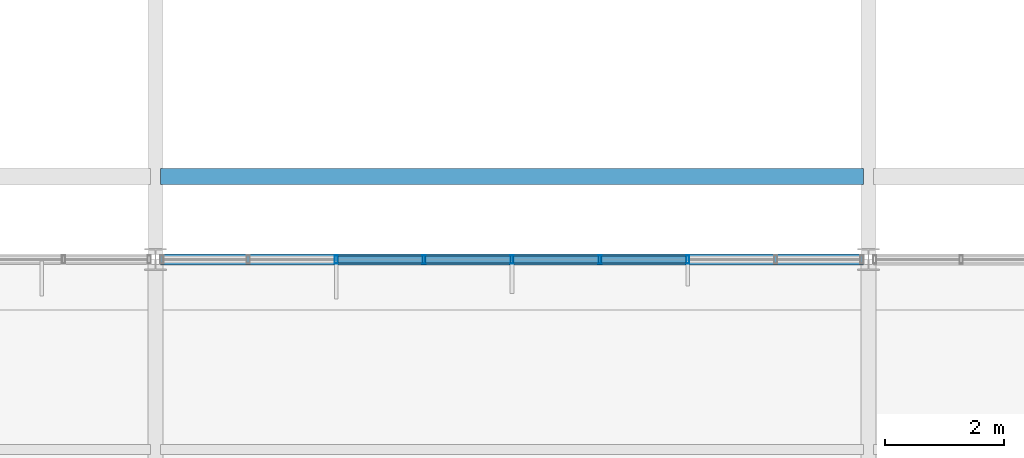
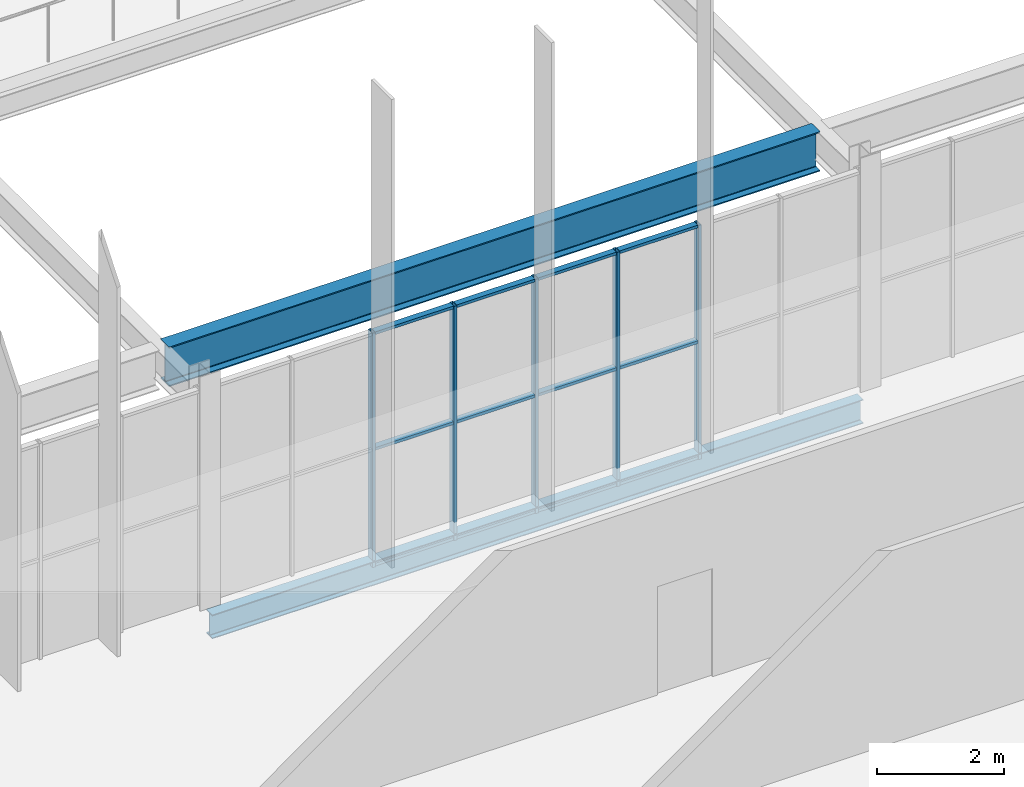
# One storey, part 184 of 324: 17 members, 2 beams, 1 element without a shape of its own.
"""IFC4 building model written with IfcOpenShell, lengths in metres."""

from ifc_helpers import new_model, si_unit, direction, frame, origin, origin_2d, place, context, subcontext, project, spatial, hollow_rectangle, i_section, extrude, material, layer, layer_set, material_profile, profile_set, type_object, element, aggregate, save


model = new_model("IFC4")

# Units and contexts
model_context = context("Model", 3, precision=1e-05, world=origin(), true_north=direction((0.0, 1.0)))
body_context = subcontext(model_context, "Body", "Model", "MODEL_VIEW")
ifc_project = project(units=[si_unit("LENGTHUNIT", "METRE"), si_unit("AREAUNIT", "SQUARE_METRE"), si_unit("VOLUMEUNIT", "CUBIC_METRE"), si_unit("PLANEANGLEUNIT", "RADIAN"), si_unit("MASSUNIT", "GRAM", prefix="KILO")], contexts=[model_context])

# Site, building, storey
site_placement = place(None, origin())
site = spatial("IfcSite", under=ifc_project, at=site_placement, CompositionType="ELEMENT")
building_placement = place(site_placement, origin())
building = spatial("IfcBuilding", under=site, at=building_placement, Name="Solvenia Promenade Tram Depot", CompositionType="ELEMENT")
storey_placement = place(building_placement, frame((0.0, 0.0, 4.5)))
storey = spatial("IfcBuildingStorey", under=building, at=storey_placement, Name="L01", CompositionType="ELEMENT", Elevation=4.5)

# Curtain wall, members
ifc_material_1 = material(Name="Anodized aluminium AW-6063 T6", Category="aluminium")
ifc_layer = layer(ifc_material_1, 0.080078125, Name="Anodized aluminium AW-6063 T6", Category="aluminium")
ifc_layer_set = layer_set([ifc_layer], Name="Anodized aluminium AW-6063 T6")
curtain_wall_type = type_object("IfcCurtainWallType", Name="CW-Clerest-1500", PredefinedType="NOTDEFINED", material=ifc_layer_set)
curtain_wall_placement = place(storey_placement, origin())
curtain_wall = element("IfcCurtainWall", 1, at=curtain_wall_placement, inside=storey, type_object=curtain_wall_type, Name="Curtain Wall CW-V2S-L1-07", PredefinedType="NOTDEFINED")
ifc_material_profile_1 = material_profile(ifc_material_1, hollow_rectangle(XDim=0.139892578125, YDim=0.054931640625, WallThickness=0.00390625, at=origin_2d()), Name="ALU-M4", Category="aluminium")
ifc_profile_set_1 = profile_set([ifc_material_profile_1], Name="Anodized aluminium AW-6063 T6")
member_type_1 = type_object("IfcMemberType", Name="CWM-Mullion-4", PredefinedType="MULLION", material=ifc_profile_set_1)
member_1_placement = place(storey_placement, frame((153.0400390625, 24.0, -0.35009765625), z_axis=(0.0, 0.0, 1.0), x_axis=(0.0, 1.0, 0.0)))
member_1 = element("IfcMember", 2, at=member_1_placement, type_object=member_type_1, Name="CW-4 mullion 3", PredefinedType="MULLION", context=body_context, shape_type="SweptSolid", body=[
    extrude(hollow_rectangle(XDim=0.139892578125, YDim=0.054931640625, WallThickness=0.00390625, at=origin_2d()), origin(), (0.0, 0.0, 1.0), 4.5),
])
member_2_placement = place(storey_placement, frame((154.52001953125, 24.0, -0.35009765625), z_axis=(0.0, 0.0, 1.0), x_axis=(0.0, 1.0, 0.0)))
member_2 = element("IfcMember", 3, at=member_2_placement, type_object=member_type_1, Name="CW-4 mullion 4", PredefinedType="MULLION", context=body_context, shape_type="SweptSolid", body=[
    extrude(hollow_rectangle(XDim=0.139892578125, YDim=0.054931640625, WallThickness=0.00390625, at=origin_2d()), origin(), (0.0, 0.0, 1.0), 4.5),
])
member_3_placement = place(storey_placement, frame((156.0, 24.0, -0.35009765625), z_axis=(0.0, 0.0, 1.0), x_axis=(0.0, 1.0, 0.0)))
member_3 = element("IfcMember", 4, at=member_3_placement, type_object=member_type_1, Name="CW-4 mullion 5", PredefinedType="MULLION", context=body_context, shape_type="SweptSolid", body=[
    extrude(hollow_rectangle(XDim=0.139892578125, YDim=0.054931640625, WallThickness=0.00390625, at=origin_2d()), origin(), (0.0, 0.0, 1.0), 4.5),
])
member_4_placement = place(storey_placement, frame((157.47998046875, 24.0, -0.35009765625), z_axis=(0.0, 0.0, 1.0), x_axis=(0.0, 1.0, 0.0)))
member_4 = element("IfcMember", 5, at=member_4_placement, type_object=member_type_1, Name="CW-4 mullion 6", PredefinedType="MULLION", context=body_context, shape_type="SweptSolid", body=[
    extrude(hollow_rectangle(XDim=0.139892578125, YDim=0.054931640625, WallThickness=0.00390625, at=origin_2d()), origin(), (0.0, 0.0, 1.0), 4.5),
])
member_5_placement = place(storey_placement, frame((158.9599609375, 24.0, -0.35009765625), z_axis=(0.0, 0.0, 1.0), x_axis=(0.0, 1.0, 0.0)))
member_5 = element("IfcMember", 6, at=member_5_placement, type_object=member_type_1, Name="CW-4 mullion 7", PredefinedType="MULLION", context=body_context, shape_type="SweptSolid", body=[
    extrude(hollow_rectangle(XDim=0.139892578125, YDim=0.054931640625, WallThickness=0.00390625, at=origin_2d()), origin(), (0.0, 0.0, 1.0), 4.5),
])
ifc_material_profile_2 = material_profile(ifc_material_1, hollow_rectangle(XDim=0.110107421875, YDim=0.054931640625, WallThickness=0.00390625, at=origin_2d()), Name="ALU-T4", Category="aluminium")
ifc_profile_set_2 = profile_set([ifc_material_profile_2], Name="Anodized aluminium AW-6063 T6")
member_type_2 = type_object("IfcMemberType", Name="CWT-Transom-4", PredefinedType="USERDEFINED", material=ifc_profile_set_2)
member_6_placement = place(storey_placement, frame((153.0673828125, 24.0, -0.322509765625), z_axis=(1.0, 0.0, 0.0), x_axis=(0.0, 1.0, 0.0)))
member_6 = element("IfcMember", 7, at=member_6_placement, type_object=member_type_2, Name="CW-4 transom 3.1", ObjectType="TRANSOM", PredefinedType="USERDEFINED", context=body_context, shape_type="SweptSolid", body=[
    extrude(hollow_rectangle(XDim=0.110107421875, YDim=0.054931640625, WallThickness=0.00390625, at=origin_2d()), origin(), (0.0, 0.0, 1.0), 1.425048828125),
])
member_7_placement = place(storey_placement, frame((153.0673828125, 24.0, 1.89990234375), z_axis=(1.0, 0.0, 0.0), x_axis=(0.0, 1.0, 0.0)))
member_7 = element("IfcMember", 8, at=member_7_placement, type_object=member_type_2, Name="CW-4 transom 3.2", ObjectType="TRANSOM", PredefinedType="USERDEFINED", context=body_context, shape_type="SweptSolid", body=[
    extrude(hollow_rectangle(XDim=0.110107421875, YDim=0.054931640625, WallThickness=0.00390625, at=origin_2d()), origin(), (0.0, 0.0, 1.0), 1.425048828125),
])
member_8_placement = place(storey_placement, frame((153.0673828125, 24.0, 4.12255859375), z_axis=(1.0, 0.0, 0.0), x_axis=(0.0, 1.0, 0.0)))
member_8 = element("IfcMember", 9, at=member_8_placement, type_object=member_type_2, Name="CW-4 transom 3.3", ObjectType="TRANSOM", PredefinedType="USERDEFINED", context=body_context, shape_type="SweptSolid", body=[
    extrude(hollow_rectangle(XDim=0.110107421875, YDim=0.054931640625, WallThickness=0.00390625, at=origin_2d()), origin(), (0.0, 0.0, 1.0), 1.425048828125),
])
member_9_placement = place(storey_placement, frame((154.547607421875, 24.0, -0.322509765625), z_axis=(1.0, 0.0, 0.0), x_axis=(0.0, 1.0, 0.0)))
member_9 = element("IfcMember", 10, at=member_9_placement, type_object=member_type_2, Name="CW-4 transom 4.1", ObjectType="TRANSOM", PredefinedType="USERDEFINED", context=body_context, shape_type="SweptSolid", body=[
    extrude(hollow_rectangle(XDim=0.110107421875, YDim=0.054931640625, WallThickness=0.00390625, at=origin_2d()), origin(), (0.0, 0.0, 1.0), 1.4248046875),
])
member_10_placement = place(storey_placement, frame((154.547607421875, 24.0, 1.89990234375), z_axis=(1.0, 0.0, 0.0), x_axis=(0.0, 1.0, 0.0)))
member_10 = element("IfcMember", 11, at=member_10_placement, type_object=member_type_2, Name="CW-4 transom 4.2", ObjectType="TRANSOM", PredefinedType="USERDEFINED", context=body_context, shape_type="SweptSolid", body=[
    extrude(hollow_rectangle(XDim=0.110107421875, YDim=0.054931640625, WallThickness=0.00390625, at=origin_2d()), origin(), (0.0, 0.0, 1.0), 1.4248046875),
])
member_11_placement = place(storey_placement, frame((154.547607421875, 24.0, 4.12255859375), z_axis=(1.0, 0.0, 0.0), x_axis=(0.0, 1.0, 0.0)))
member_11 = element("IfcMember", 12, at=member_11_placement, type_object=member_type_2, Name="CW-4 transom 4.3", ObjectType="TRANSOM", PredefinedType="USERDEFINED", context=body_context, shape_type="SweptSolid", body=[
    extrude(hollow_rectangle(XDim=0.110107421875, YDim=0.054931640625, WallThickness=0.00390625, at=origin_2d()), origin(), (0.0, 0.0, 1.0), 1.4248046875),
])
member_12_placement = place(storey_placement, frame((156.027587890625, 24.0, -0.322509765625), z_axis=(1.0, 0.0, 0.0), x_axis=(0.0, 1.0, 0.0)))
member_12 = element("IfcMember", 13, at=member_12_placement, type_object=member_type_2, Name="CW-4 transom 5.1", ObjectType="TRANSOM", PredefinedType="USERDEFINED", context=body_context, shape_type="SweptSolid", body=[
    extrude(hollow_rectangle(XDim=0.110107421875, YDim=0.054931640625, WallThickness=0.00390625, at=origin_2d()), origin(), (0.0, 0.0, 1.0), 1.4248046875),
])
member_13_placement = place(storey_placement, frame((156.027587890625, 24.0, 1.89990234375), z_axis=(1.0, 0.0, 0.0), x_axis=(0.0, 1.0, 0.0)))
member_13 = element("IfcMember", 14, at=member_13_placement, type_object=member_type_2, Name="CW-4 transom 5.2", ObjectType="TRANSOM", PredefinedType="USERDEFINED", context=body_context, shape_type="SweptSolid", body=[
    extrude(hollow_rectangle(XDim=0.110107421875, YDim=0.054931640625, WallThickness=0.00390625, at=origin_2d()), origin(), (0.0, 0.0, 1.0), 1.4248046875),
])
member_14_placement = place(storey_placement, frame((156.027587890625, 24.0, 4.12255859375), z_axis=(1.0, 0.0, 0.0), x_axis=(0.0, 1.0, 0.0)))
member_14 = element("IfcMember", 15, at=member_14_placement, type_object=member_type_2, Name="CW-4 transom 5.3", ObjectType="TRANSOM", PredefinedType="USERDEFINED", context=body_context, shape_type="SweptSolid", body=[
    extrude(hollow_rectangle(XDim=0.110107421875, YDim=0.054931640625, WallThickness=0.00390625, at=origin_2d()), origin(), (0.0, 0.0, 1.0), 1.4248046875),
])
member_15_placement = place(storey_placement, frame((157.507568359375, 24.0, -0.322509765625), z_axis=(1.0, 0.0, 0.0), x_axis=(0.0, 1.0, 0.0)))
member_15 = element("IfcMember", 16, at=member_15_placement, type_object=member_type_2, Name="CW-4 transom 6.1", ObjectType="TRANSOM", PredefinedType="USERDEFINED", context=body_context, shape_type="SweptSolid", body=[
    extrude(hollow_rectangle(XDim=0.110107421875, YDim=0.054931640625, WallThickness=0.00390625, at=origin_2d()), origin(), (0.0, 0.0, 1.0), 1.425048828125),
])
member_16_placement = place(storey_placement, frame((157.507568359375, 24.0, 1.89990234375), z_axis=(1.0, 0.0, 0.0), x_axis=(0.0, 1.0, 0.0)))
member_16 = element("IfcMember", 17, at=member_16_placement, type_object=member_type_2, Name="CW-4 transom 6.2", ObjectType="TRANSOM", PredefinedType="USERDEFINED", context=body_context, shape_type="SweptSolid", body=[
    extrude(hollow_rectangle(XDim=0.110107421875, YDim=0.054931640625, WallThickness=0.00390625, at=origin_2d()), origin(), (0.0, 0.0, 1.0), 1.425048828125),
])
member_17_placement = place(storey_placement, frame((157.507568359375, 24.0, 4.12255859375), z_axis=(1.0, 0.0, 0.0), x_axis=(0.0, 1.0, 0.0)))
member_17 = element("IfcMember", 18, at=member_17_placement, type_object=member_type_2, Name="CW-4 transom 6.3", ObjectType="TRANSOM", PredefinedType="USERDEFINED", context=body_context, shape_type="SweptSolid", body=[
    extrude(hollow_rectangle(XDim=0.110107421875, YDim=0.054931640625, WallThickness=0.00390625, at=origin_2d()), origin(), (0.0, 0.0, 1.0), 1.425048828125),
])
aggregate(curtain_wall, [member_1, member_2, member_3, member_4, member_5, member_6, member_7, member_8, member_9, member_10, member_11, member_12, member_13, member_14, member_15, member_16, member_17])

# Beams
ifc_material_2 = material(Name="Structural steel ASTM A992 Gr. 50", Category="steel")
ifc_material_profile_3 = material_profile(ifc_material_2, i_section(OverallWidth=0.26708984375, OverallDepth=0.761962890625, WebThickness=0.014404296875, FlangeThickness=0.021484375, FilletRadius=0.01806640625, at=origin_2d()), Name="W760x173", Category="steel")
ifc_profile_set_3 = profile_set([ifc_material_profile_3], Name="Structural steel ASTM A992 Gr. 50")
beam_type_1 = type_object("IfcBeamType", Name="Gird-W760x173", PredefinedType="BEAM", material=ifc_profile_set_3)
beam_1_placement = place(storey_placement, frame((150.0849609375, 25.39990234375, 3.718994140625), z_axis=(1.0, 0.0, 0.0), x_axis=(0.0, 1.0, 0.0)))
element("IfcBeam", 19, at=beam_1_placement, inside=storey, type_object=beam_type_1, Name="Bridge Crane Runway Girder BM-L01-0922", PredefinedType="BEAM", context=body_context, shape_type="SweptSolid", body=[
    extrude(i_section(OverallWidth=0.26708984375, OverallDepth=0.761962890625, WebThickness=0.014404296875, FlangeThickness=0.021484375, FilletRadius=0.01806640625, at=origin_2d()), origin(), (0.0, 0.0, 1.0), 11.830078125),
])
ifc_material_profile_4 = material_profile(ifc_material_2, i_section(OverallWidth=0.19091796875, OverallDepth=0.4599609375, WebThickness=0.010009765625, FlangeThickness=0.01611328125, FilletRadius=0.012939453125, at=origin_2d()), Name="W460x82", Category="steel")
ifc_profile_set_4 = profile_set([ifc_material_profile_4], Name="Structural steel ASTM A992 Gr. 50")
beam_type_2 = type_object("IfcBeamType", Name="Spandrel-W460x82", PredefinedType="SPANDREL", material=ifc_profile_set_4)
beam_2_placement = place(storey_placement, frame((150.0849609375, 24.0, -0.449951171875), z_axis=(1.0, 0.0, 0.0), x_axis=(0.0, 1.0, 0.0)))
element("IfcBeam", 20, at=beam_2_placement, inside=storey, type_object=beam_type_2, Name="Perimeter Spandrel BM-L01-0421", PredefinedType="SPANDREL", context=body_context, shape_type="SweptSolid", body=[
    extrude(i_section(OverallWidth=0.19091796875, OverallDepth=0.4599609375, WebThickness=0.010009765625, FlangeThickness=0.01611328125, FilletRadius=0.012939453125, at=origin_2d()), origin(), (0.0, 0.0, 1.0), 11.830078125),
])

save(model, "model.ifc")
